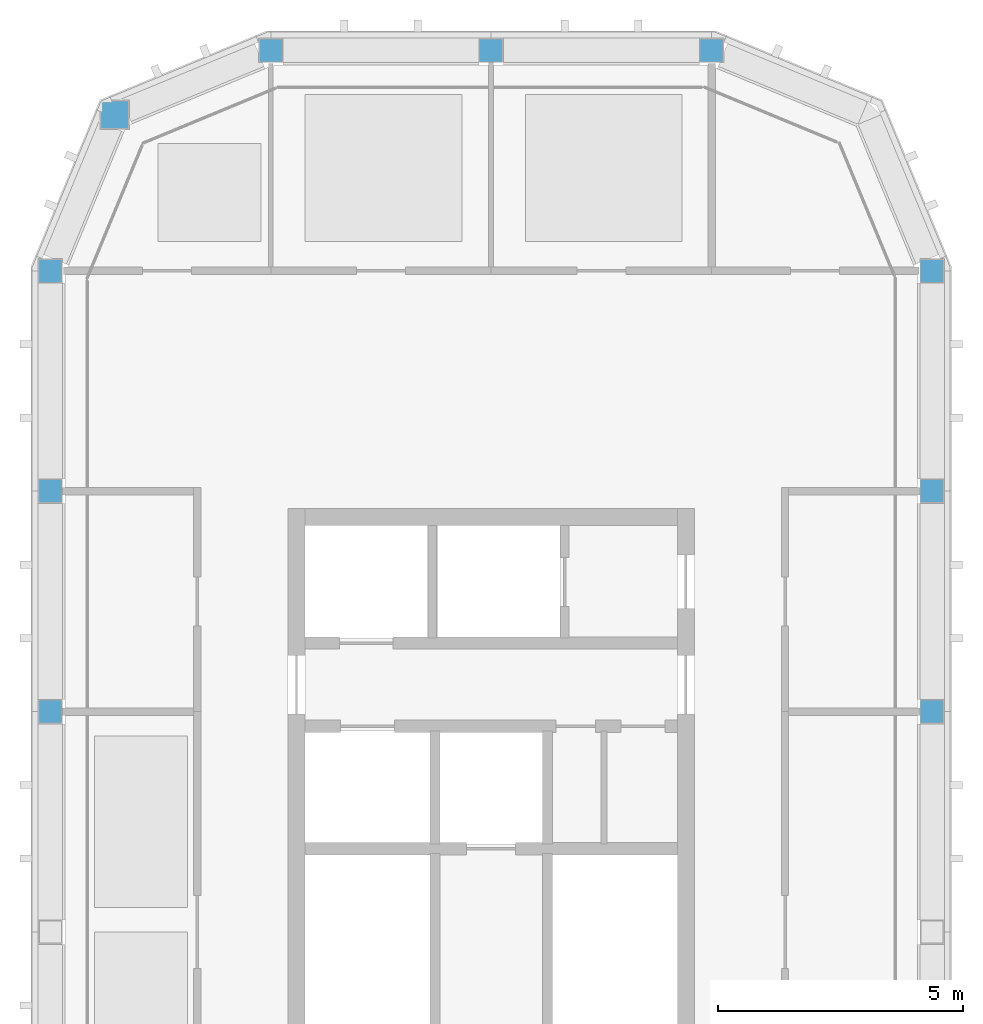
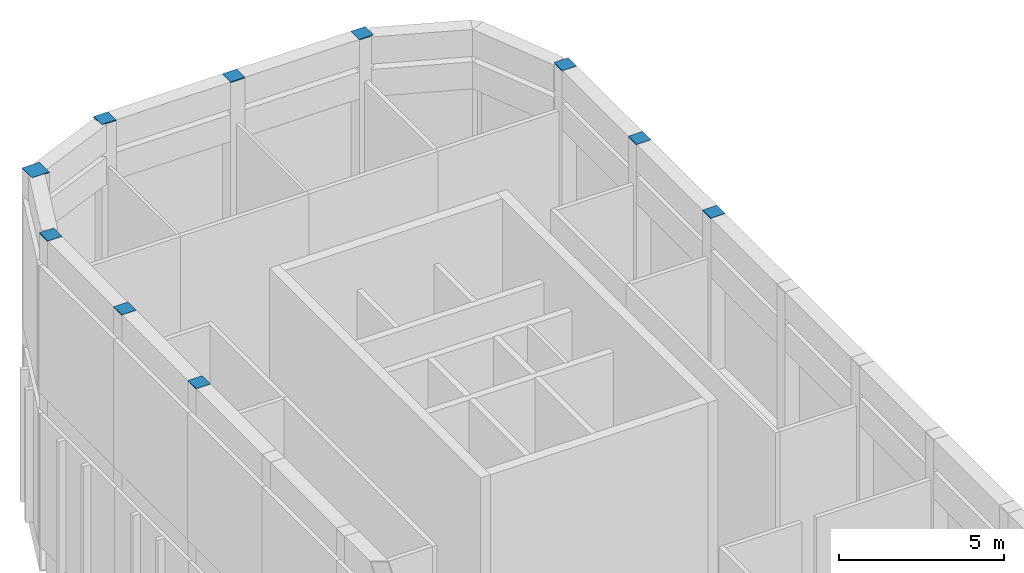
# One storey, part 4 of 7: 10 discrete accessories.
"""IFC4 building model written with IfcOpenShell, lengths in metres."""

from ifc_helpers import new_model, si_unit, direction, frame, origin, place, context, subcontext, project, spatial, polyline, outline, extrude, material, layer, layer_set, type_object, element, save


model = new_model("IFC4")

# Units and contexts
model_context = context("Model", 3, precision=1e-05, world=origin(), true_north=direction((0.0, 1.0)))
body_context = subcontext(model_context, "Body", "Model", "MODEL_VIEW")
ifc_project = project(units=[si_unit("LENGTHUNIT", "METRE"), si_unit("AREAUNIT", "SQUARE_METRE"), si_unit("VOLUMEUNIT", "CUBIC_METRE"), si_unit("PLANEANGLEUNIT", "RADIAN"), si_unit("MASSUNIT", "GRAM", prefix="KILO")], contexts=[model_context])

# Site, building, storey
site_placement = place(None, origin())
site = spatial("IfcSite", under=ifc_project, at=site_placement, CompositionType="ELEMENT")
building_placement = place(site_placement, origin())
building = spatial("IfcBuilding", under=site, at=building_placement, Name="Girih Gate Residences", CompositionType="ELEMENT")
storey_placement = place(building_placement, frame((0.0, 0.0, 247.094970703125)))
storey = spatial("IfcBuildingStorey", under=building, at=storey_placement, Name="L67", CompositionType="ELEMENT", Elevation=247.094970703125)

# Discrete accessories
ifc_material = material(Name="Painted steel plate", Category="steel")
ifc_layer = layer(ifc_material, 0.030029296875)
ifc_layer_set = layer_set([ifc_layer], Name="Crown post cap plate")
discrete_accessory_type = type_object("IfcDiscreteAccessoryType", Name="Crown post cap plate", PredefinedType="BRACKET", material=ifc_layer_set)
discrete_accessory_1_placement = place(storey_placement, frame((0.0, 0.0, 11.3701171875)))
element("IfcDiscreteAccessory", 1, at=discrete_accessory_1_placement, inside=storey, type_object=discrete_accessory_type, Name="Crown post cap plate 19", PredefinedType="BRACKET", context=body_context, shape_type="SweptSolid", body=[
    extrude(outline(polyline([(-0.25, 35.75), (0.25, 35.75), (0.25, 36.25), (-0.25, 36.25), (-0.25, 35.75)])), origin(), (0.0, 0.0, 1.0), 0.030029296875),
])
discrete_accessory_2_placement = place(storey_placement, frame((0.0, 0.0, 11.3701171875)))
element("IfcDiscreteAccessory", 2, at=discrete_accessory_2_placement, inside=storey, type_object=discrete_accessory_type, Name="Crown post cap plate 20", PredefinedType="BRACKET", context=body_context, shape_type="SweptSolid", body=[
    extrude(outline(polyline([(17.75, 35.75), (18.25, 35.75), (18.25, 36.25), (17.75, 36.25), (17.75, 35.75)])), origin(), (0.0, 0.0, 1.0), 0.030029296875),
])
discrete_accessory_3_placement = place(storey_placement, frame((0.0, 0.0, 11.3701171875)))
element("IfcDiscreteAccessory", 3, at=discrete_accessory_3_placement, inside=storey, type_object=discrete_accessory_type, Name="Crown post cap plate 21", PredefinedType="BRACKET", context=body_context, shape_type="SweptSolid", body=[
    extrude(outline(polyline([(-0.25, 40.25), (0.25, 40.25), (0.25, 40.75), (-0.25, 40.75), (-0.25, 40.25)])), origin(), (0.0, 0.0, 1.0), 0.030029296875),
])
discrete_accessory_4_placement = place(storey_placement, frame((0.0, 0.0, 11.3701171875)))
element("IfcDiscreteAccessory", 4, at=discrete_accessory_4_placement, inside=storey, type_object=discrete_accessory_type, Name="Crown post cap plate 22", PredefinedType="BRACKET", context=body_context, shape_type="SweptSolid", body=[
    extrude(outline(polyline([(17.75, 40.25), (18.25, 40.25), (18.25, 40.75), (17.75, 40.75), (17.75, 40.25)])), origin(), (0.0, 0.0, 1.0), 0.030029296875),
])
discrete_accessory_5_placement = place(storey_placement, frame((0.0, 0.0, 11.3701171875)))
element("IfcDiscreteAccessory", 5, at=discrete_accessory_5_placement, inside=storey, type_object=discrete_accessory_type, Name="Crown post cap plate 23", PredefinedType="BRACKET", context=body_context, shape_type="SweptSolid", body=[
    extrude(outline(polyline([(-0.25, 44.75), (0.25, 44.75), (0.25, 45.25), (-0.25, 45.25), (-0.25, 44.75)])), origin(), (0.0, 0.0, 1.0), 0.030029296875),
])
discrete_accessory_6_placement = place(storey_placement, frame((0.0, 0.0, 11.3701171875)))
element("IfcDiscreteAccessory", 6, at=discrete_accessory_6_placement, inside=storey, type_object=discrete_accessory_type, Name="Crown post cap plate 24", PredefinedType="BRACKET", context=body_context, shape_type="SweptSolid", body=[
    extrude(outline(polyline([(17.75, 44.75), (18.25, 44.75), (18.25, 45.25), (17.75, 45.25), (17.75, 44.75)])), origin(), (0.0, 0.0, 1.0), 0.030029296875),
])
discrete_accessory_7_placement = place(storey_placement, frame((0.0, 0.0, 11.3701171875)))
element("IfcDiscreteAccessory", 7, at=discrete_accessory_7_placement, inside=storey, type_object=discrete_accessory_type, Name="Crown post cap plate 25", PredefinedType="BRACKET", context=body_context, shape_type="SweptSolid", body=[
    extrude(outline(polyline([(1.01806640625, 47.882080078125), (1.617919921875, 47.882080078125), (1.617919921875, 48.48193359375), (1.01806640625, 48.48193359375), (1.01806640625, 47.882080078125)])), origin(), (0.0, 0.0, 1.0), 0.030029296875),
])
discrete_accessory_8_placement = place(storey_placement, frame((0.0, 0.0, 11.3701171875)))
element("IfcDiscreteAccessory", 8, at=discrete_accessory_8_placement, inside=storey, type_object=discrete_accessory_type, Name="Crown post cap plate 26", PredefinedType="BRACKET", context=body_context, shape_type="SweptSolid", body=[
    extrude(outline(polyline([(4.25, 49.25), (4.75, 49.25), (4.75, 49.75), (4.25, 49.75), (4.25, 49.25)])), origin(), (0.0, 0.0, 1.0), 0.030029296875),
])
discrete_accessory_9_placement = place(storey_placement, frame((0.0, 0.0, 11.3701171875)))
element("IfcDiscreteAccessory", 9, at=discrete_accessory_9_placement, inside=storey, type_object=discrete_accessory_type, Name="Crown post cap plate 27", PredefinedType="BRACKET", context=body_context, shape_type="SweptSolid", body=[
    extrude(outline(polyline([(8.75, 49.25), (9.25, 49.25), (9.25, 49.75), (8.75, 49.75), (8.75, 49.25)])), origin(), (0.0, 0.0, 1.0), 0.030029296875),
])
discrete_accessory_10_placement = place(storey_placement, frame((0.0, 0.0, 11.3701171875)))
element("IfcDiscreteAccessory", 10, at=discrete_accessory_10_placement, inside=storey, type_object=discrete_accessory_type, Name="Crown post cap plate 28", PredefinedType="BRACKET", context=body_context, shape_type="SweptSolid", body=[
    extrude(outline(polyline([(13.25, 49.25), (13.75, 49.25), (13.75, 49.75), (13.25, 49.75), (13.25, 49.25)])), origin(), (0.0, 0.0, 1.0), 0.030029296875),
])

save(model, "model.ifc")
